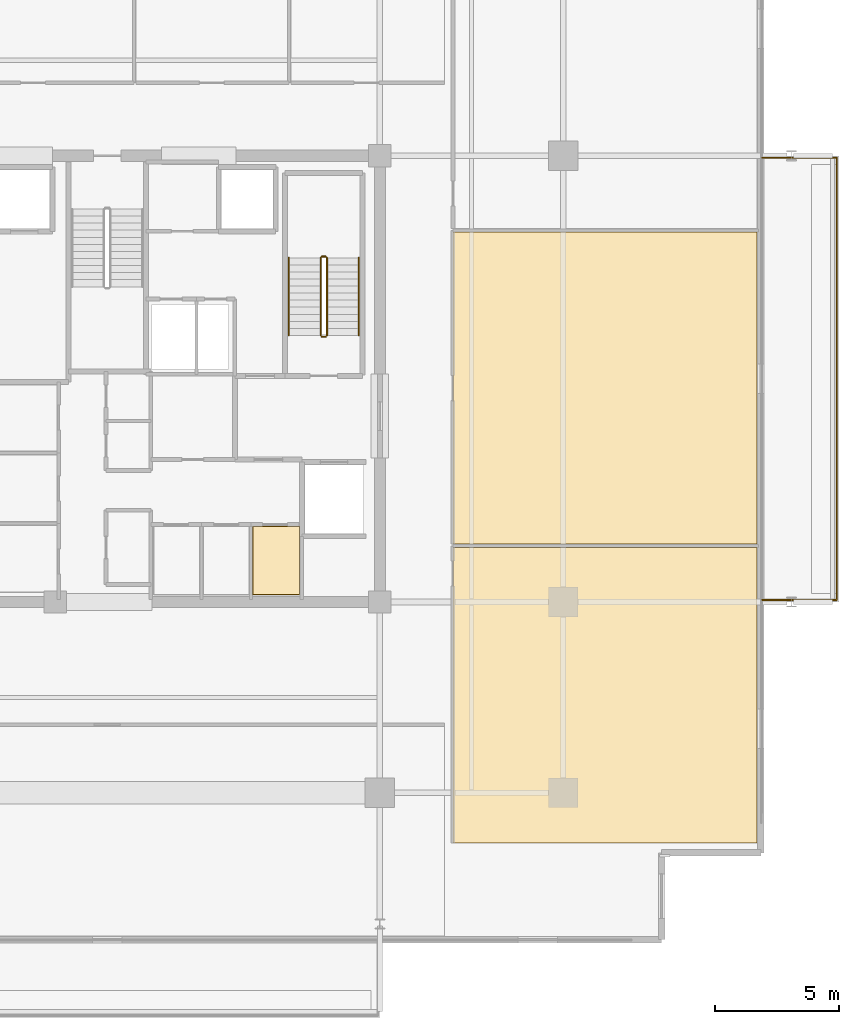
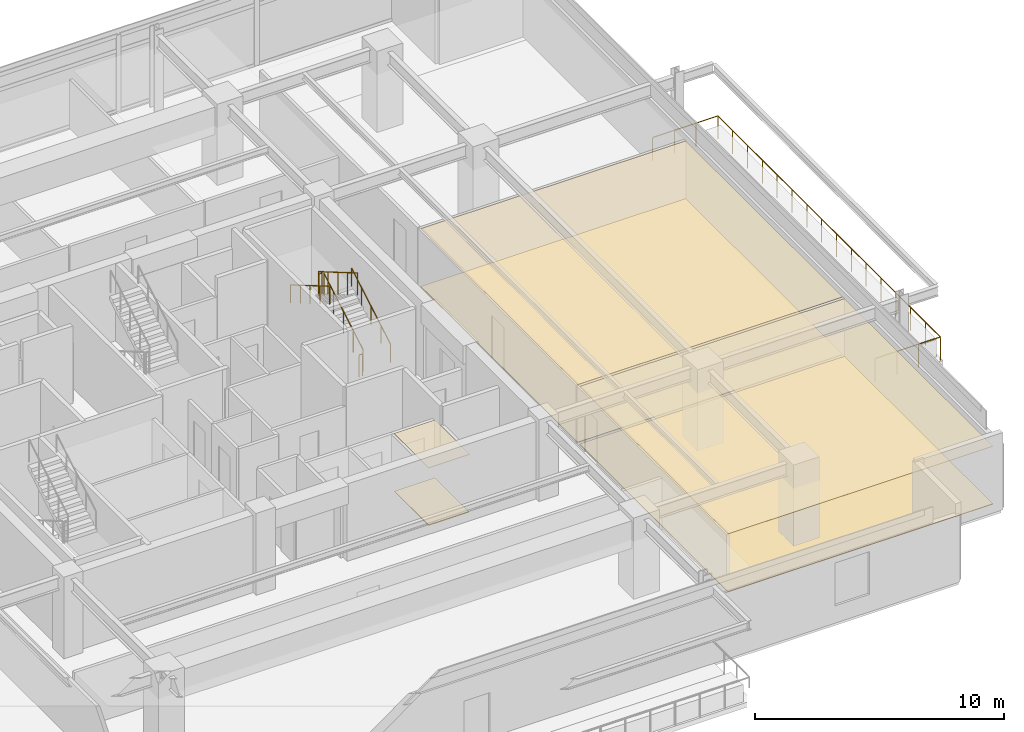
# One storey, part 22 of 24: 7 railings, 6 coverings.
"""IFC4 building model written with IfcOpenShell, lengths in metres."""

from ifc_helpers import new_model, si_unit, direction, frame, origin, origin_2d, place, context, subcontext, project, spatial, polyline, circle, outline, extrude, material, layer, layer_set, type_object, element, save


model = new_model("IFC4")

# Units and contexts
model_context = context("Model", 3, precision=1e-05, world=origin(), true_north=direction((0.0, 1.0)))
body_context = subcontext(model_context, "Body", "Model", "MODEL_VIEW")
ifc_project = project(units=[si_unit("LENGTHUNIT", "METRE"), si_unit("AREAUNIT", "SQUARE_METRE"), si_unit("VOLUMEUNIT", "CUBIC_METRE"), si_unit("PLANEANGLEUNIT", "RADIAN"), si_unit("MASSUNIT", "GRAM", prefix="KILO")], contexts=[model_context])

# Site, building, storey
site_placement = place(None, origin())
site = spatial("IfcSite", under=ifc_project, at=site_placement, CompositionType="ELEMENT")
building_placement = place(site_placement, origin())
building = spatial("IfcBuilding", under=site, at=building_placement, Name="Kovane Verandah Tower", CompositionType="ELEMENT")
storey_placement = place(building_placement, frame((0.0, 0.0, 259.199951171875)))
storey = spatial("IfcBuildingStorey", under=building, at=storey_placement, Name="L60", CompositionType="ELEMENT", Elevation=259.199951171875)

# Coverings
ifc_material_1 = material(Name="Perforated Acoustic Mineral-Fibre Ceiling Tile", Category="gypsum")
ifc_layer_1 = layer(ifc_material_1, 0.02490234375)
ifc_layer_set_1 = layer_set([ifc_layer_1], Name="Perforated Acoustic Mineral-Fibre Ceiling Tile")
covering_type_1 = type_object("IfcCoveringType", Name="CV-CEIL-25", PredefinedType="CEILING", material=ifc_layer_set_1)
covering_1_placement = place(storey_placement, frame((0.0, 0.0, 2.824951171875)))
element("IfcCovering", 1, at=covering_1_placement, inside=storey, type_object=covering_type_1, Name="L60 Quiet Wellness Room Acoustic Ceiling", PredefinedType="CEILING", context=body_context, shape_type="SweptSolid", body=[
    extrude(outline(polyline([(45.864990234375, 18.784912109375), (47.764892578125, 18.784912109375), (47.764892578125, 21.56494140625), (45.864990234375, 21.56494140625), (45.864990234375, 18.784912109375)])), origin(), (0.0, 0.0, 1.0), 0.025146484375),
])
covering_2_placement = place(storey_placement, frame((0.0, 0.0, 2.824951171875)))
element("IfcCovering", 2, at=covering_2_placement, inside=storey, type_object=covering_type_1, Name="L60 Focus Studio E1 Acoustic Ceiling", PredefinedType="CEILING", context=body_context, shape_type="SweptSolid", body=[
    extrude(outline(polyline([(53.949951171875, 8.78173828125), (66.216552734375, 8.78173828125), (66.216552734375, 20.69140625), (53.949951171875, 20.69140625), (53.949951171875, 8.78173828125)])), origin(), (0.0, 0.0, 1.0), 0.025146484375),
])
covering_3_placement = place(storey_placement, frame((0.0, 0.0, 2.824951171875)))
element("IfcCovering", 3, at=covering_3_placement, inside=storey, type_object=covering_type_1, Name="L60 Breakout Pantry E2 Acoustic Ceiling", PredefinedType="CEILING", context=body_context, shape_type="SweptSolid", body=[
    extrude(outline(polyline([(53.949951171875, 20.831298828125), (66.216552734375, 20.831298828125), (66.216552734375, 33.419921875), (53.949951171875, 33.419921875), (53.949951171875, 20.831298828125)])), origin(), (0.0, 0.0, 1.0), 0.025146484375),
])
ifc_material_2 = material(Name="Polished Terrazzo and Raised-Access Carpet Tile Finish", Category="concrete")
ifc_layer_2 = layer(ifc_material_2, 0.030029296875)
ifc_layer_set_2 = layer_set([ifc_layer_2], Name="Polished Terrazzo and Raised-Access Carpet Tile Finish")
covering_type_2 = type_object("IfcCoveringType", Name="CV-FLOR-30", PredefinedType="FLOORING", material=ifc_layer_set_2)
covering_4_placement = place(storey_placement, origin())
element("IfcCovering", 4, at=covering_4_placement, inside=storey, type_object=covering_type_2, Name="L60 Quiet Wellness Room Floor Finish", PredefinedType="FLOORING", context=body_context, shape_type="SweptSolid", body=[
    extrude(outline(polyline([(45.8798828125, 18.800048828125), (47.75, 18.800048828125), (47.75, 21.550048828125), (45.8798828125, 21.550048828125), (45.8798828125, 18.800048828125)])), origin(), (0.0, 0.0, 1.0), 0.030029296875),
])
covering_5_placement = place(storey_placement, origin())
element("IfcCovering", 5, at=covering_5_placement, inside=storey, type_object=covering_type_2, Name="L60 Focus Studio E1 Floor Finish", PredefinedType="FLOORING", context=body_context, shape_type="SweptSolid", body=[
    extrude(outline(polyline([(53.949951171875, 8.78173828125), (66.216552734375, 8.78173828125), (66.216552734375, 20.69140625), (53.949951171875, 20.69140625), (53.949951171875, 8.78173828125)])), origin(), (0.0, 0.0, 1.0), 0.030029296875),
])
covering_6_placement = place(storey_placement, origin())
element("IfcCovering", 6, at=covering_6_placement, inside=storey, type_object=covering_type_2, Name="L60 Breakout Pantry E2 Floor Finish", PredefinedType="FLOORING", context=body_context, shape_type="SweptSolid", body=[
    extrude(outline(polyline([(53.949951171875, 20.831298828125), (66.216552734375, 20.831298828125), (66.216552734375, 33.419921875), (53.949951171875, 33.419921875), (53.949951171875, 20.831298828125)])), origin(), (0.0, 0.0, 1.0), 0.030029296875),
])

# Railings
ifc_material_3 = material(Name="Laminated Glass and Pale-Champagne Stainless Balustrade", Category="glass")
railing_type_1 = type_object("IfcRailingType", Name="RL-BAL-1150", PredefinedType="BALUSTRADE", material=ifc_material_3)
railing_1_placement = place(storey_placement, frame((66.41650390625, 18.580078125, 0.0)))
element("IfcRailing", 7, at=railing_1_placement, inside=storey, type_object=railing_type_1, Name="L60 E Verandah Glass Balustrade", PredefinedType="BALUSTRADE", context=body_context, shape_type="SweptSolid", body=[
    extrude(circle(Radius=0.02392578125, at=origin_2d()), frame((0.0, 0.0, 1.1259765625), z_axis=(1.0, 0.0, 0.0), x_axis=(0.0, 1.0, 0.0)), (0.0, 0.0, 1.0), 3.02001953125),
    extrude(circle(Radius=0.02392578125, at=origin_2d()), frame((3.02001953125, 0.0, 1.1259765625), z_axis=(0.0, 1.0, 0.0), x_axis=(-1.0, 0.0, 0.0)), (0.0, 0.0, 1.0), 17.83984375),
    extrude(circle(Radius=0.02392578125, at=origin_2d()), frame((3.02001953125, 17.83984375, 1.1259765625), z_axis=(-1.0, 0.0, 0.0), x_axis=(0.0, -1.0, 0.0)), (0.0, 0.0, 1.0), 3.02001953125),
    extrude(circle(Radius=0.02099609375, at=origin_2d()), origin(), (0.0, 0.0, 1.0), 1.101806640625),
    extrude(circle(Radius=0.02099609375, at=origin_2d()), frame((1.006591796875, 0.0, 0.0)), (0.0, 0.0, 1.0), 1.101806640625),
    extrude(circle(Radius=0.02099609375, at=origin_2d()), frame((2.013427734375, 0.0, 0.0)), (0.0, 0.0, 1.0), 1.101806640625),
    extrude(circle(Radius=0.02099609375, at=origin_2d()), frame((3.02001953125, 0.0, 0.0)), (0.0, 0.0, 1.0), 1.101806640625),
    extrude(circle(Radius=0.02099609375, at=origin_2d()), frame((3.02001953125, 1.189208984375, 0.0)), (0.0, 0.0, 1.0), 1.101806640625),
    extrude(circle(Radius=0.02099609375, at=origin_2d()), frame((3.02001953125, 2.378662109375, 0.0)), (0.0, 0.0, 1.0), 1.101806640625),
    extrude(circle(Radius=0.02099609375, at=origin_2d()), frame((3.02001953125, 3.56787109375, 0.0)), (0.0, 0.0, 1.0), 1.101806640625),
    extrude(circle(Radius=0.02099609375, at=origin_2d()), frame((3.02001953125, 4.75732421875, 0.0)), (0.0, 0.0, 1.0), 1.101806640625),
    extrude(circle(Radius=0.02099609375, at=origin_2d()), frame((3.02001953125, 5.946533203125, 0.0)), (0.0, 0.0, 1.0), 1.101806640625),
    extrude(circle(Radius=0.02099609375, at=origin_2d()), frame((3.02001953125, 7.135986328125, 0.0)), (0.0, 0.0, 1.0), 1.101806640625),
    extrude(circle(Radius=0.02099609375, at=origin_2d()), frame((3.02001953125, 8.3251953125, 0.0)), (0.0, 0.0, 1.0), 1.101806640625),
    extrude(circle(Radius=0.02099609375, at=origin_2d()), frame((3.02001953125, 9.5146484375, 0.0)), (0.0, 0.0, 1.0), 1.101806640625),
    extrude(circle(Radius=0.02099609375, at=origin_2d()), frame((3.02001953125, 10.703857421875, 0.0)), (0.0, 0.0, 1.0), 1.101806640625),
    extrude(circle(Radius=0.02099609375, at=origin_2d()), frame((3.02001953125, 11.893310546875, 0.0)), (0.0, 0.0, 1.0), 1.101806640625),
    extrude(circle(Radius=0.02099609375, at=origin_2d()), frame((3.02001953125, 13.08251953125, 0.0)), (0.0, 0.0, 1.0), 1.101806640625),
    extrude(circle(Radius=0.02099609375, at=origin_2d()), frame((3.02001953125, 14.27197265625, 0.0)), (0.0, 0.0, 1.0), 1.101806640625),
    extrude(circle(Radius=0.02099609375, at=origin_2d()), frame((3.02001953125, 15.461181640625, 0.0)), (0.0, 0.0, 1.0), 1.101806640625),
    extrude(circle(Radius=0.02099609375, at=origin_2d()), frame((3.02001953125, 16.650634765625, 0.0)), (0.0, 0.0, 1.0), 1.101806640625),
    extrude(circle(Radius=0.02099609375, at=origin_2d()), frame((3.02001953125, 17.83984375, 0.0)), (0.0, 0.0, 1.0), 1.101806640625),
    extrude(circle(Radius=0.02099609375, at=origin_2d()), frame((2.013427734375, 17.83984375, 0.0)), (0.0, 0.0, 1.0), 1.101806640625),
    extrude(circle(Radius=0.02099609375, at=origin_2d()), frame((1.006591796875, 17.83984375, 0.0)), (0.0, 0.0, 1.0), 1.101806640625),
    extrude(circle(Radius=0.02099609375, at=origin_2d()), frame((0.0, 17.83984375, 0.0)), (0.0, 0.0, 1.0), 1.101806640625),
])
ifc_material_4 = material(Name="Brushed Stainless Steel Handrail", Category="steel")
railing_type_2 = type_object("IfcRailingType", Name="RL-HAND-920", PredefinedType="HANDRAIL", material=ifc_material_4)
railing_2_placement = place(storey_placement, frame((50.14990234375, 29.25, 0.166748046875)))
element("IfcRailing", 8, at=railing_2_placement, inside=storey, type_object=railing_type_2, Name="L60 ST-02 stair handrail 1", PredefinedType="HANDRAIL", context=body_context, shape_type="SweptSolid", body=[
    extrude(circle(Radius=0.02392578125, at=origin_2d()), frame((0.0, 0.0, 0.8759765625), z_axis=(0.0, 0.863239559939, 0.504794475164), x_axis=(-1.0, 0.0, 0.0)), (0.0, 0.0, 1.0), 3.631591796875),
    extrude(circle(Radius=0.02099609375, at=origin_2d()), origin(), (0.0, 0.0, 1.0), 0.851806640625),
    extrude(circle(Radius=0.02099609375, at=origin_2d()), frame((0.0, 0.78369140625, 0.458251953125)), (0.0, 0.0, 1.0), 0.851806640625),
    extrude(circle(Radius=0.02099609375, at=origin_2d()), frame((0.0, 1.5673828125, 0.91650390625)), (0.0, 0.0, 1.0), 0.851806640625),
    extrude(circle(Radius=0.02099609375, at=origin_2d()), frame((0.0, 2.351318359375, 1.375)), (0.0, 0.0, 1.0), 0.851806640625),
    extrude(circle(Radius=0.02099609375, at=origin_2d()), frame((0.0, 3.135009765625, 1.833251953125)), (0.0, 0.0, 1.0), 0.851806640625),
])
railing_3_placement = place(storey_placement, frame((47.330078125, 32.385009765625, 2.166748046875)))
element("IfcRailing", 9, at=railing_3_placement, inside=storey, type_object=railing_type_2, Name="L60 ST-02 stair handrail 2", PredefinedType="HANDRAIL", context=body_context, shape_type="SweptSolid", body=[
    extrude(circle(Radius=0.02392578125, at=origin_2d()), frame((0.0, 0.0, 0.8759765625), z_axis=(0.0, -0.863239559939, 0.504794475164), x_axis=(1.0, 0.0, 0.0)), (0.0, 0.0, 1.0), 3.631591796875),
    extrude(circle(Radius=0.02099609375, at=origin_2d()), origin(), (0.0, 0.0, 1.0), 0.851806640625),
    extrude(circle(Radius=0.02099609375, at=origin_2d()), frame((0.0, -0.78369140625, 0.458251953125)), (0.0, 0.0, 1.0), 0.851806640625),
    extrude(circle(Radius=0.02099609375, at=origin_2d()), frame((0.0, -1.5673828125, 0.91650390625)), (0.0, 0.0, 1.0), 0.851806640625),
    extrude(circle(Radius=0.02099609375, at=origin_2d()), frame((0.0, -2.351318359375, 1.375)), (0.0, 0.0, 1.0), 0.851806640625),
    extrude(circle(Radius=0.02099609375, at=origin_2d()), frame((0.0, -3.135009765625, 1.833251953125)), (0.0, 0.0, 1.0), 0.851806640625),
])
ifc_material_5 = material(Name="Painted Steel Stairwell Guardrail", Category="steel")
railing_type_3 = type_object("IfcRailingType", Name="RL-STGUARD-1120", PredefinedType="GUARDRAIL", material=ifc_material_5)
railing_4_placement = place(storey_placement, frame((48.8701171875, 29.25, 0.166748046875)))
element("IfcRailing", 10, at=railing_4_placement, inside=storey, type_object=railing_type_3, Name="L60 ST-02 stair guard 1", PredefinedType="GUARDRAIL", context=body_context, shape_type="SweptSolid", body=[
    extrude(circle(Radius=0.02392578125, at=origin_2d()), frame((0.0, 0.0, 1.076171875), z_axis=(0.0, 0.863239559939, 0.504794475164), x_axis=(-1.0, 0.0, 0.0)), (0.0, 0.0, 1.0), 3.631591796875),
    extrude(circle(Radius=0.02099609375, at=origin_2d()), origin(), (0.0, 0.0, 1.0), 1.052001953125),
    extrude(circle(Radius=0.02099609375, at=origin_2d()), frame((0.0, 0.78369140625, 0.458251953125)), (0.0, 0.0, 1.0), 1.052001953125),
    extrude(circle(Radius=0.02099609375, at=origin_2d()), frame((0.0, 1.5673828125, 0.91650390625)), (0.0, 0.0, 1.0), 1.052001953125),
    extrude(circle(Radius=0.02099609375, at=origin_2d()), frame((0.0, 2.351318359375, 1.375)), (0.0, 0.0, 1.0), 1.052001953125),
    extrude(circle(Radius=0.02099609375, at=origin_2d()), frame((0.0, 3.135009765625, 1.833251953125)), (0.0, 0.0, 1.0), 1.052001953125),
])
railing_5_placement = place(storey_placement, frame((48.820068359375, 32.43505859375, 2.0)))
element("IfcRailing", 11, at=railing_5_placement, inside=storey, type_object=railing_type_3, Name="L60 ST-02 stair guard 2", PredefinedType="GUARDRAIL", context=body_context, shape_type="SweptSolid", body=[
    extrude(circle(Radius=0.02392578125, at=origin_2d()), frame((0.0, 0.0, 1.076171875), z_axis=(-1.0, 0.0, 0.0), x_axis=(0.0, -1.0, 0.0)), (0.0, 0.0, 1.0), 0.16015625),
    extrude(circle(Radius=0.02099609375, at=origin_2d()), origin(), (0.0, 0.0, 1.0), 1.052001953125),
    extrude(circle(Radius=0.02099609375, at=origin_2d()), frame((-0.16015625, 0.0, 0.0)), (0.0, 0.0, 1.0), 1.052001953125),
])
railing_6_placement = place(storey_placement, frame((48.610107421875, 32.385009765625, 2.166748046875)))
element("IfcRailing", 12, at=railing_6_placement, inside=storey, type_object=railing_type_3, Name="L60 ST-02 stair guard 3", PredefinedType="GUARDRAIL", context=body_context, shape_type="SweptSolid", body=[
    extrude(circle(Radius=0.02392578125, at=origin_2d()), frame((0.0, 0.0, 1.076171875), z_axis=(0.0, -0.863239559939, 0.504794475164), x_axis=(1.0, 0.0, 0.0)), (0.0, 0.0, 1.0), 3.631591796875),
    extrude(circle(Radius=0.02099609375, at=origin_2d()), origin(), (0.0, 0.0, 1.0), 1.052001953125),
    extrude(circle(Radius=0.02099609375, at=origin_2d()), frame((0.0, -0.78369140625, 0.458251953125)), (0.0, 0.0, 1.0), 1.052001953125),
    extrude(circle(Radius=0.02099609375, at=origin_2d()), frame((0.0, -1.5673828125, 0.91650390625)), (0.0, 0.0, 1.0), 1.052001953125),
    extrude(circle(Radius=0.02099609375, at=origin_2d()), frame((0.0, -2.351318359375, 1.375)), (0.0, 0.0, 1.0), 1.052001953125),
    extrude(circle(Radius=0.02099609375, at=origin_2d()), frame((0.0, -3.135009765625, 1.833251953125)), (0.0, 0.0, 1.0), 1.052001953125),
])
railing_7_placement = place(storey_placement, frame((48.820068359375, 29.199951171875, 0.0)))
element("IfcRailing", 13, at=railing_7_placement, inside=storey, type_object=railing_type_3, Name="L60 ST-02 stair guard 4", PredefinedType="GUARDRAIL", context=body_context, shape_type="SweptSolid", body=[
    extrude(circle(Radius=0.02392578125, at=origin_2d()), frame((0.0, 0.0, 1.076171875), z_axis=(-1.0, 0.0, 0.0), x_axis=(0.0, -1.0, 0.0)), (0.0, 0.0, 1.0), 0.16015625),
    extrude(circle(Radius=0.02099609375, at=origin_2d()), origin(), (0.0, 0.0, 1.0), 1.052001953125),
    extrude(circle(Radius=0.02099609375, at=origin_2d()), frame((-0.16015625, 0.0, 0.0)), (0.0, 0.0, 1.0), 1.052001953125),
])

save(model, "model.ifc")
